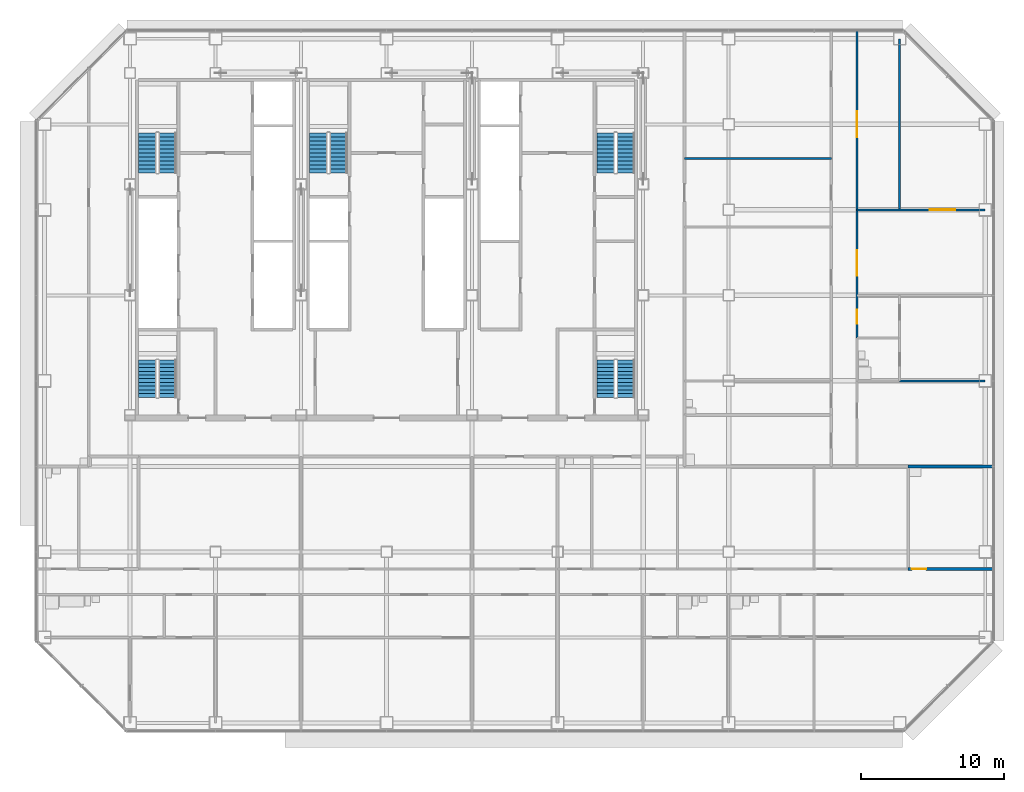
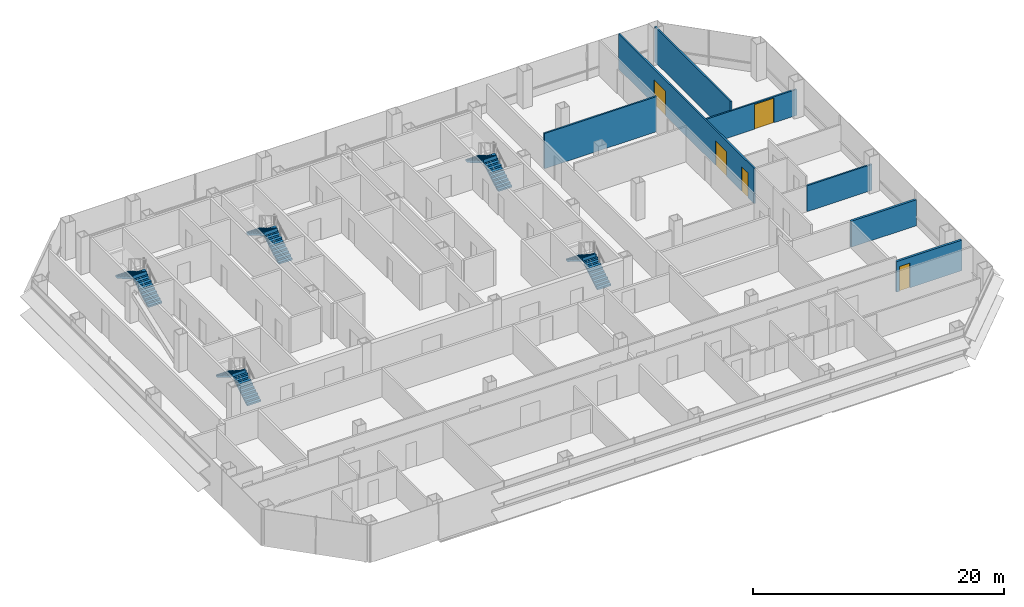
# One storey, part 24 of 27: 10 stair flights, 7 walls, 5 doors, 5 openings, 5 elements without a shape of their own.
"""IFC4 building model written with IfcOpenShell, lengths in metres."""

import ifcopenshell
import ifcopenshell.guid

model = None  # the IFC model being written
_history = None  # IfcOwnerHistory: only IFC2X3 demands one
_inside = {}  # id of a spatial element -> (the spatial element, [elements in it])
_under = {}  # id of a project, library or spatial element -> (it, [spatial elements below it])
_declared = {}  # id of a project -> (the project, [libraries it declares])
_typed = {}  # id of a type object -> (the type object, [elements of that type])
_made_of = {}  # id of a material, layer set ... -> (it, [elements and type objects made of it])


def new_model(schema):
    """Start an empty IFC model of exactly this schema.

    Asked for "IFC4X3", IfcOpenShell would pick the latest addendum, in which some entities
    have other attributes; the version numbers below select the first issue.
    IFC2X3 requires an IfcOwnerHistory on every rooted entity: one is made here for all.
    """
    global model, _history
    if schema == "IFC4X3":
        model = ifcopenshell.file(schema_version=(4, 3, 0, 0))
    else:
        model = ifcopenshell.file(schema=schema)
    _inside.clear()
    _under.clear()
    _declared.clear()
    _typed.clear()
    _made_of.clear()
    _history = None
    if model.schema == "IFC2X3":
        org = make("IfcOrganization", Name="unknown")
        user = make(
            "IfcPersonAndOrganization",
            ThePerson=make("IfcPerson", FamilyName="unknown"),
            TheOrganization=org,
        )
        app = make(
            "IfcApplication",
            ApplicationDeveloper=org,
            Version="unknown",
            ApplicationFullName="unknown",
            ApplicationIdentifier="unknown",
        )
        _history = make(
            "IfcOwnerHistory",
            OwningUser=user,
            OwningApplication=app,
            ChangeAction="ADDED",
            CreationDate=0,
        )
    return model


def make(cls, **values):
    """One entity of the class cls with the attributes given. An attribute that is None is left unset."""
    return model.create_entity(
        cls, **{name: value for name, value in values.items() if value is not None}
    )


def rooted(cls, **values):
    """An entity with a GlobalId (a new one), such as an element, a storey or a relation."""
    return make(cls, GlobalId=ifcopenshell.guid.new(), OwnerHistory=_history, **values)


def si_unit(unit_type, name, prefix=None):
    """IfcSIUnit, for example si_unit("LENGTHUNIT", "METRE", prefix="MILLI")."""
    return make("IfcSIUnit", UnitType=unit_type, Prefix=prefix, Name=name)


def assignment(units):
    """IfcUnitAssignment: the units of a project."""
    return None if units is None else make("IfcUnitAssignment", Units=units)


def point(xyz):
    """IfcCartesianPoint."""
    return None if xyz is None else make("IfcCartesianPoint", Coordinates=xyz)


def direction(xyz):
    """IfcDirection."""
    return None if xyz is None else make("IfcDirection", DirectionRatios=xyz)


def frame(location, z_axis=None, x_axis=None):
    """IfcAxis2Placement3D, a coordinate frame: its origin and axes. An axis left out is left unset."""
    return make(
        "IfcAxis2Placement3D",
        Location=point(location),
        Axis=direction(z_axis),
        RefDirection=direction(x_axis),
    )


def frame_2d(location, x_axis=None):
    """IfcAxis2Placement2D, a coordinate frame in the plane: its origin and x axis."""
    return make(
        "IfcAxis2Placement2D", Location=point(location), RefDirection=direction(x_axis)
    )


def origin():
    """The frame at (0, 0, 0) with its axes left unset."""
    return frame((0.0, 0.0, 0.0))


def place(relative_to, where):
    """IfcLocalPlacement: puts the frame where relative to a parent placement (None: the world)."""
    return make(
        "IfcLocalPlacement", PlacementRelTo=relative_to, RelativePlacement=where
    )


def context(
    kind, dimensions, precision=None, world=None, true_north=None, identifier=None
):
    """IfcGeometricRepresentationContext, for example the 3D "Model" context."""
    return make(
        "IfcGeometricRepresentationContext",
        ContextIdentifier=identifier,
        ContextType=kind,
        CoordinateSpaceDimension=dimensions,
        Precision=precision,
        WorldCoordinateSystem=world,
        TrueNorth=true_north,
    )


def subcontext(parent, identifier, kind, view, scale=None):
    """IfcGeometricRepresentationSubContext, for example "Body" below "Model"."""
    return make(
        "IfcGeometricRepresentationSubContext",
        ContextIdentifier=identifier,
        ContextType=kind,
        ParentContext=parent,
        TargetScale=scale,
        TargetView=view,
    )


def project(units=None, contexts=None):
    """IfcProject with its units and contexts."""
    return rooted(
        "IfcProject",
        Name="project",
        RepresentationContexts=contexts,
        UnitsInContext=assignment(units),
    )


def spatial(cls, under=None, at=None, **own):
    """A site, building, storey or space (cls), placed at a placement, below another one or the project."""
    s = rooted(cls, ObjectPlacement=at, **own)
    if under is not None:
        _under.setdefault(under.id(), (under, []))[1].append(s)
    return s


def polyline(points):
    """IfcPolyline through the points."""
    return make("IfcPolyline", Points=[point(p) for p in points])


def profile(cls, at=None, kind="AREA", **sizes):
    """A parametric profile (cls). Its sizes go by their IFC names, for example OverallWidth=200.0."""
    return make(cls, ProfileType=kind, Position=at, **sizes)


def rectangle(**sizes):
    """IfcRectangleProfileDef."""
    return profile("IfcRectangleProfileDef", **sizes)


def outline(outer, holes=None, kind="AREA"):
    """IfcArbitraryClosedProfileDef: a profile drawn as a closed curve; with holes, ...WithVoids."""
    if holes is None:
        return make("IfcArbitraryClosedProfileDef", ProfileType=kind, OuterCurve=outer)
    return make(
        "IfcArbitraryProfileDefWithVoids",
        ProfileType=kind,
        OuterCurve=outer,
        InnerCurves=holes,
    )


def extrude(swept, where, along, depth):
    """IfcExtrudedAreaSolid: the profile swept, set in the frame where, extruded along a direction by depth."""
    return make(
        "IfcExtrudedAreaSolid",
        SweptArea=swept,
        Position=where,
        ExtrudedDirection=direction(along),
        Depth=depth,
    )


def shape(context_of_items, identifier, shape_type, items):
    """IfcShapeRepresentation: the items that make up one representation, for example the "Body"."""
    return make(
        "IfcShapeRepresentation",
        ContextOfItems=context_of_items,
        RepresentationIdentifier=identifier,
        RepresentationType=shape_type,
        Items=items,
    )


def material(Name=None, Category=None):
    """IfcMaterial."""
    return make("IfcMaterial", Name=Name, Category=Category)


def layer(
    of_material, thickness, ventilated=None, Name=None, Category=None, Priority=None
):
    """IfcMaterialLayer: one layer of a wall or slab, of a material (None: an air gap)."""
    return make(
        "IfcMaterialLayer",
        Material=of_material,
        LayerThickness=thickness,
        IsVentilated=ventilated,
        Name=Name,
        Category=Category,
        Priority=Priority,
    )


def layer_set(layers, Name=None):
    """IfcMaterialLayerSet."""
    return make("IfcMaterialLayerSet", MaterialLayers=layers, LayerSetName=Name)


def made_of(thing, what):
    """Note that an element or type object is made of a material, layer set ...; save() writes the relation."""
    if what is not None:
        _made_of.setdefault(what.id(), (what, []))[1].append(thing)
    return thing


def type_object(cls, material=None, **own):
    """A type object (cls), such as IfcWallType, which elements share."""
    return made_of(rooted(cls, **own), material)


def element(
    cls,
    number,
    at=None,
    inside=None,
    cuts=None,
    type_object=None,
    material=None,
    context=None,
    identifier="Body",
    shape_type=None,
    held_by="IfcProductDefinitionShape",
    body=None,
    shapes=None,
    **own,
):
    """One element of the class cls, such as IfcWall. Its Tag is "e" and its number.

    at: its placement. inside: the storey or other place that contains it. cuts: it is an
    opening in that element (IfcRelVoidsElement). A single representation is given by context,
    identifier, shape_type and body (its items); several are given by shapes. held_by: the class
    of the entity that holds the representations. save() writes the other relations.
    """
    e = rooted(cls, Tag="e%d" % number, ObjectPlacement=at, **own)
    if body is not None:
        shapes = [shape(context, identifier, shape_type, body)]
    if shapes is not None:
        e.Representation = make(held_by, Representations=shapes)
    if inside is not None:
        _inside.setdefault(inside.id(), (inside, []))[1].append(e)
    if cuts is not None:
        rooted(
            "IfcRelVoidsElement", RelatingBuildingElement=cuts, RelatedOpeningElement=e
        )
    if type_object is not None:
        _typed.setdefault(type_object.id(), (type_object, []))[1].append(e)
    return made_of(e, material)


def fill(opening, filler):
    """IfcRelFillsElement: the door or window that sits in an opening."""
    return rooted(
        "IfcRelFillsElement",
        RelatingOpeningElement=opening,
        RelatedBuildingElement=filler,
    )


def aggregate(whole, parts):
    """IfcRelAggregates: a whole, such as a stair, and the parts it consists of."""
    return rooted("IfcRelAggregates", RelatingObject=whole, RelatedObjects=parts)


def save(model, path):
    """Write the relations noted so far, then the file.

    IfcRelAggregates (storeys below a building ...), IfcRelContainedInSpatialStructure (elements
    in a storey), IfcRelDefinesByType, IfcRelAssociatesMaterial and IfcRelDeclares: one each for
    every whole, place, type object, material and project.
    """
    for whole, parts in _under.values():
        aggregate(whole, parts)
    for where, things in _inside.values():
        rooted(
            "IfcRelContainedInSpatialStructure",
            RelatedElements=things,
            RelatingStructure=where,
        )
    for kind, things in _typed.values():
        rooted("IfcRelDefinesByType", RelatedObjects=things, RelatingType=kind)
    for what, things in _made_of.values():
        rooted("IfcRelAssociatesMaterial", RelatedObjects=things, RelatingMaterial=what)
    for by, libraries in _declared.values():
        rooted("IfcRelDeclares", RelatingContext=by, RelatedDefinitions=libraries)
    model.write(path)


model = new_model("IFC4")

# Units and contexts
model_context = context("Model", 3, precision=1e-05, world=origin(), true_north=direction((0.0, 1.0)))
body_context = subcontext(model_context, "Body", "Model", "MODEL_VIEW")
ifc_project = project(units=[si_unit("LENGTHUNIT", "METRE"), si_unit("AREAUNIT", "SQUARE_METRE"), si_unit("VOLUMEUNIT", "CUBIC_METRE"), si_unit("PLANEANGLEUNIT", "RADIAN"), si_unit("MASSUNIT", "GRAM", prefix="KILO")], contexts=[model_context])

# Site, building, storey
site_placement = place(None, origin())
site = spatial("IfcSite", under=ifc_project, at=site_placement, CompositionType="ELEMENT")
building_placement = place(site_placement, origin())
building = spatial("IfcBuilding", under=site, at=building_placement, Name="Sorahane Residences", CompositionType="ELEMENT")
storey_placement = place(building_placement, frame((0.0, 0.0, 57.0)))
storey = spatial("IfcBuildingStorey", under=building, at=storey_placement, Name="L10", CompositionType="ELEMENT", Elevation=57.0)

# Wall, opening, door
ifc_material_1 = material(Name="Concrete blockwork C20 wall", Category="masonry")
ifc_layer_1 = layer(ifc_material_1, 0.199951171875)
ifc_layer_set_1 = layer_set([ifc_layer_1], Name="Kitchen wall 200 EI 180")
wall_type_1 = type_object("IfcWallType", Name="Kitchen wall 200 EI 180", PredefinedType="SOLIDWALL", material=ifc_layer_set_1)
wall_1_placement = place(storey_placement, frame((60.60009765625, 10.800048828125, 0.0), z_axis=(0.0, 0.0, 1.0), x_axis=(1.0, 0.0, 0.0)))
wall_1 = element("IfcWall", 1, at=wall_1_placement, inside=storey, type_object=wall_type_1, Name="L10 kitchen wall", PredefinedType="SOLIDWALL", context=body_context, shape_type="SweptSolid", body=[
    extrude(rectangle(XDim=6.0, YDim=0.199951171875, at=frame_2d((3.0, 0.0))), origin(), (0.0, 0.0, 1.0), 2.969970703125),
])
opening_1_placement = place(wall_1_placement, frame((0.25, 0.0, 0.0)))
opening_1 = element("IfcOpeningElement", 2, at=opening_1_placement, cuts=wall_1, Name="Opening L10-18", PredefinedType="OPENING", context=body_context, shape_type="SweptSolid", body=[
    extrude(rectangle(XDim=1.0, YDim=2.39990234375, at=frame_2d((0.5, 1.199951171875))), frame((0.0, 0.10986328125, 0.0), z_axis=(0.0, -1.0, 0.0), x_axis=(1.0, 0.0, 0.0)), (0.0, 0.0, 1.0), 0.219970703125),
])
ifc_material_2 = material(Name="Steel", Category="steel")
door_type_1 = type_object("IfcDoorType", Name="Kitchen door 1000x2400 FD120", OperationType="NOTDEFINED", PredefinedType="DOOR", material=ifc_material_2)
door_1_placement = place(opening_1_placement, origin())
door_1 = element("IfcDoor", 3, at=door_1_placement, inside=storey, type_object=door_type_1, Name="Kitchen door L10-18", OperationType="SINGLE_SWING_RIGHT", OverallHeight=2.39990234375, OverallWidth=1.0, PredefinedType="DOOR", context=body_context, shape_type="SweptSolid", body=[
    extrude(rectangle(XDim=1.0, YDim=2.39990234375, at=frame_2d((0.5, 1.199951171875))), frame((0.0, 0.02490234375, 0.0), z_axis=(0.0, -1.0, 0.0), x_axis=(1.0, 0.0, 0.0)), (0.0, 0.0, 1.0), 0.050048828125),
])
fill(opening_1, door_1)

# Wall
wall_2_placement = place(storey_placement, frame((60.60009765625, 18.0, 0.0), z_axis=(0.0, 0.0, 1.0), x_axis=(1.0, 0.0, 0.0)))
element("IfcWall", 4, at=wall_2_placement, inside=storey, type_object=wall_type_1, Name="L10 kitchen wall", PredefinedType="SOLIDWALL", context=body_context, shape_type="SweptSolid", body=[
    extrude(rectangle(XDim=6.0, YDim=0.199951171875, at=frame_2d((3.0, 0.0))), origin(), (0.0, 0.0, 1.0), 2.52001953125),
])

# Wall, openings, doors
ifc_material_3 = material(Name="Gypsum board partition on steel studs", Category="steel")
ifc_layer_2 = layer(ifc_material_3, 0.14990234375)
ifc_layer_set_2 = layer_set([ifc_layer_2], Name="Partition 150 EI 90")
wall_type_2 = type_object("IfcWallType", Name="Partition 150 EI 90", PredefinedType="PARTITIONING", material=ifc_layer_set_2)
wall_3_placement = place(storey_placement, frame((57.0, 27.0, 0.0), z_axis=(0.0, 0.0, 1.0), x_axis=(0.0, 1.0, 0.0)))
wall_3 = element("IfcWall", 5, at=wall_3_placement, inside=storey, type_object=wall_type_2, Name="L10 partition", PredefinedType="PARTITIONING", context=body_context, shape_type="SweptSolid", body=[
    extrude(rectangle(XDim=21.60009765625, YDim=0.14990234375, at=frame_2d((10.800048828125, 0.0))), origin(), (0.0, 0.0, 1.0), 3.419921875),
])
opening_2_placement = place(wall_3_placement, frame((1.0, 0.0, 0.0)))
opening_2 = element("IfcOpeningElement", 6, at=opening_2_placement, cuts=wall_3, Name="Opening L10-34", PredefinedType="OPENING", context=body_context, shape_type="SweptSolid", body=[
    extrude(rectangle(XDim=1.0, YDim=2.39990234375, at=frame_2d((0.5, 1.199951171875))), frame((0.0, 0.0849609375, 0.0), z_axis=(0.0, -1.0, 0.0), x_axis=(1.0, 0.0, 0.0)), (0.0, 0.0, 1.0), 0.169921875),
])
opening_3_placement = place(wall_3_placement, frame((4.360107421875, 0.0, 0.0)))
opening_3 = element("IfcOpeningElement", 7, at=opening_3_placement, cuts=wall_3, Name="Opening L10-35", PredefinedType="OPENING", context=body_context, shape_type="SweptSolid", body=[
    extrude(rectangle(XDim=1.800048828125, YDim=2.39990234375, at=frame_2d((0.89990234375, 1.199951171875))), frame((0.0, 0.0849609375, 0.0), z_axis=(0.0, -1.0, 0.0), x_axis=(1.0, 0.0, 0.0)), (0.0, 0.0, 1.0), 0.169921875),
])
opening_4_placement = place(wall_3_placement, frame((14.10009765625, 0.0, 0.0)))
opening_4 = element("IfcOpeningElement", 8, at=opening_4_placement, cuts=wall_3, Name="Opening L10-37", PredefinedType="OPENING", context=body_context, shape_type="SweptSolid", body=[
    extrude(rectangle(XDim=1.800048828125, YDim=2.39990234375, at=frame_2d((0.89990234375, 1.199951171875))), frame((0.0, 0.0849609375, 0.0), z_axis=(0.0, -1.0, 0.0), x_axis=(1.0, 0.0, 0.0)), (0.0, 0.0, 1.0), 0.169921875),
])
ifc_material_4 = material(Name="Timber veneered fire door", Category="wood")
door_type_2 = type_object("IfcDoorType", Name="Double door 1800x2400 FD30", OperationType="NOTDEFINED", PredefinedType="DOOR", material=ifc_material_4)
door_2_placement = place(opening_3_placement, frame((1.800048828125, 0.0, 0.0), z_axis=(0.0, 0.0, 1.0), x_axis=(-1.0, 0.0, 0.0)))
door_2 = element("IfcDoor", 9, at=door_2_placement, inside=storey, type_object=door_type_2, Name="Double door L10-35", OperationType="SINGLE_SWING_LEFT", OverallHeight=2.39990234375, OverallWidth=1.800048828125, PredefinedType="DOOR", context=body_context, shape_type="SweptSolid", body=[
    extrude(rectangle(XDim=1.800048828125, YDim=2.39990234375, at=frame_2d((0.89990234375, 1.199951171875))), frame((0.0, 0.02490234375, 0.0), z_axis=(0.0, -1.0, 0.0), x_axis=(1.0, 0.0, 0.0)), (0.0, 0.0, 1.0), 0.050048828125),
])
fill(opening_3, door_2)
door_3_placement = place(opening_4_placement, frame((1.800048828125, 0.0, 0.0), z_axis=(0.0, 0.0, 1.0), x_axis=(-1.0, 0.0, 0.0)))
door_3 = element("IfcDoor", 10, at=door_3_placement, inside=storey, type_object=door_type_2, Name="Double door L10-37", OperationType="SINGLE_SWING_RIGHT", OverallHeight=2.39990234375, OverallWidth=1.800048828125, PredefinedType="DOOR", context=body_context, shape_type="SweptSolid", body=[
    extrude(rectangle(XDim=1.800048828125, YDim=2.39990234375, at=frame_2d((0.89990234375, 1.199951171875))), frame((0.0, 0.02490234375, 0.0), z_axis=(0.0, -1.0, 0.0), x_axis=(1.0, 0.0, 0.0)), (0.0, 0.0, 1.0), 0.050048828125),
])
fill(opening_4, door_3)
ifc_material_5 = material(Name="Timber veneered fire door", Category="wood")
door_type_3 = type_object("IfcDoorType", Name="Room door 1000x2400 FD30", OperationType="NOTDEFINED", PredefinedType="DOOR", material=ifc_material_5)
door_4_placement = place(opening_2_placement, frame((1.0, 0.0, 0.0), z_axis=(0.0, 0.0, 1.0), x_axis=(-1.0, 0.0, 0.0)))
door_4 = element("IfcDoor", 11, at=door_4_placement, inside=storey, type_object=door_type_3, Name="Room door L10-34", OperationType="SINGLE_SWING_LEFT", OverallHeight=2.39990234375, OverallWidth=1.0, PredefinedType="DOOR", context=body_context, shape_type="SweptSolid", body=[
    extrude(rectangle(XDim=1.0, YDim=2.39990234375, at=frame_2d((0.5, 1.199951171875))), frame((0.0, 0.02490234375, 0.0), z_axis=(0.0, -1.0, 0.0), x_axis=(1.0, 0.0, 0.0)), (0.0, 0.0, 1.0), 0.050048828125),
])
fill(opening_2, door_4)

# Walls
wall_4_placement = place(storey_placement, frame((60.0, 36.0, 0.0), z_axis=(0.0, 0.0, 1.0), x_axis=(0.0, 1.0, 0.0)))
element("IfcWall", 12, at=wall_4_placement, inside=storey, type_object=wall_type_2, Name="L10 partition", PredefinedType="PARTITIONING", context=body_context, shape_type="SweptSolid", body=[
    extrude(rectangle(XDim=12.0, YDim=0.14990234375, at=frame_2d((6.0, 0.0))), origin(), (0.0, 0.0, 1.0), 3.419921875),
])
wall_5_placement = place(storey_placement, frame((60.0, 24.0, 0.0), z_axis=(0.0, 0.0, 1.0), x_axis=(1.0, 0.0, 0.0)))
element("IfcWall", 13, at=wall_5_placement, inside=storey, type_object=wall_type_2, Name="L10 partition", PredefinedType="PARTITIONING", context=body_context, shape_type="SweptSolid", body=[
    extrude(rectangle(XDim=6.0, YDim=0.14990234375, at=frame_2d((3.0, 0.0))), origin(), (0.0, 0.0, 1.0), 2.52001953125),
])

# Wall, opening, door
wall_6_placement = place(storey_placement, frame((57.0, 36.0, 0.0), z_axis=(0.0, 0.0, 1.0), x_axis=(1.0, 0.0, 0.0)))
wall_6 = element("IfcWall", 14, at=wall_6_placement, inside=storey, type_object=wall_type_2, Name="L10 partition", PredefinedType="PARTITIONING", context=body_context, shape_type="SweptSolid", body=[
    extrude(rectangle(XDim=9.0, YDim=0.14990234375, at=frame_2d((4.5, 0.0))), origin(), (0.0, 0.0, 1.0), 2.52001953125),
])
opening_5_placement = place(wall_6_placement, frame((5.10009765625, 0.0, 0.0)))
opening_5 = element("IfcOpeningElement", 15, at=opening_5_placement, cuts=wall_6, Name="Opening L10-36", PredefinedType="OPENING", context=body_context, shape_type="SweptSolid", body=[
    extrude(rectangle(XDim=1.800048828125, YDim=2.39990234375, at=frame_2d((0.89990234375, 1.199951171875))), frame((0.0, 0.0849609375, 0.0), z_axis=(0.0, -1.0, 0.0), x_axis=(1.0, 0.0, 0.0)), (0.0, 0.0, 1.0), 0.169921875),
])
door_5_placement = place(opening_5_placement, origin())
door_5 = element("IfcDoor", 16, at=door_5_placement, inside=storey, type_object=door_type_2, Name="Double door L10-36", OperationType="SINGLE_SWING_LEFT", OverallHeight=2.39990234375, OverallWidth=1.800048828125, PredefinedType="DOOR", context=body_context, shape_type="SweptSolid", body=[
    extrude(rectangle(XDim=1.800048828125, YDim=2.39990234375, at=frame_2d((0.89990234375, 1.199951171875))), frame((0.0, 0.02490234375, 0.0), z_axis=(0.0, -1.0, 0.0), x_axis=(1.0, 0.0, 0.0)), (0.0, 0.0, 1.0), 0.050048828125),
])
fill(opening_5, door_5)

# Wall
wall_7_placement = place(storey_placement, frame((44.89990234375, 39.60009765625, 0.0), z_axis=(0.0, 0.0, 1.0), x_axis=(1.0, 0.0, 0.0)))
element("IfcWall", 17, at=wall_7_placement, inside=storey, type_object=wall_type_2, Name="L10 partition", PredefinedType="PARTITIONING", context=body_context, shape_type="SweptSolid", body=[
    extrude(rectangle(XDim=10.300048828125, YDim=0.14990234375, at=frame_2d((5.14990234375, 0.0))), origin(), (0.0, 0.0, 1.0), 3.419921875),
])

# Stair, stair flights
ifc_material_6 = material(Name="Concrete C40", Category="concrete")
stair_type = type_object("IfcStairType", Name="Dog-leg stair 1250 Concrete C40", PredefinedType="HALF_TURN_STAIR", material=ifc_material_6)
stair_1_placement = place(storey_placement, origin())
stair_1 = element("IfcStair", 18, at=stair_1_placement, inside=storey, type_object=stair_type, Name="L10 Stair S1", PredefinedType="HALF_TURN_STAIR")
ifc_material_7 = material(Name="Concrete C40", Category="concrete")
stair_flight_type = type_object("IfcStairFlightType", Name="Stair flight 1250 Concrete C40", PredefinedType="STRAIGHT", material=ifc_material_7)
stair_flight_1_placement = place(storey_placement, frame((8.625, 38.60009765625, 0.0), z_axis=(0.0, 0.0, 1.0), x_axis=(0.0, 1.0, 0.0)))
stair_flight_1 = element("IfcStairFlight", 19, at=stair_flight_1_placement, type_object=stair_flight_type, Name="S1 flight 1", NumberOfRisers=11, NumberOfTreads=10, PredefinedType="STRAIGHT", RiserHeight=0.163636364, TreadLength=0.28, context=body_context, shape_type="SweptSolid", body=[
    extrude(outline(polyline([(-0.00146484375, 0.0), (-0.00146484375, 0.16357421875), (0.0, 0.16357421875), (0.280029296875, 0.16357421875), (0.280029296875, 0.327392578125), (0.56005859375, 0.327392578125), (0.56005859375, 0.490966796875), (0.840087890625, 0.490966796875), (0.840087890625, 0.654541015625), (1.1201171875, 0.654541015625), (1.1201171875, 0.818115234375), (1.39990234375, 0.818115234375), (1.39990234375, 0.98193359375), (1.679931640625, 0.98193359375), (1.679931640625, 1.1455078125), (1.9599609375, 1.1455078125), (1.9599609375, 1.30908203125), (2.239990234375, 1.30908203125), (2.239990234375, 1.47265625), (2.52001953125, 1.47265625), (2.52001953125, 1.636474609375), (2.800048828125, 1.636474609375), (2.800048828125, 1.800048828125), (2.800048828125, 1.462646484375), (2.59130859375, 1.3408203125), (2.3828125, 1.218994140625), (2.17431640625, 1.09716796875), (1.965576171875, 0.97509765625), (1.757080078125, 0.853271484375), (1.548583984375, 0.7314453125), (1.340087890625, 0.609375), (1.13134765625, 0.487548828125), (0.9228515625, 0.36572265625), (0.71435546875, 0.243896484375), (0.505615234375, 0.121826171875), (0.297119140625, 0.0), (-0.00146484375, 0.0)])), frame((0.0, 0.625, 0.0), z_axis=(0.0, -1.0, 0.0), x_axis=(1.0, 0.0, 0.0)), (0.0, 0.0, 1.0), 1.25),
])
stair_flight_2_placement = place(storey_placement, frame((7.22509765625, 41.39990234375, 1.800048828125), z_axis=(0.0, 0.0, 1.0), x_axis=(0.0, -1.0, 0.0)))
stair_flight_2 = element("IfcStairFlight", 20, at=stair_flight_2_placement, type_object=stair_flight_type, Name="S1 flight 2", NumberOfRisers=11, NumberOfTreads=10, PredefinedType="STRAIGHT", RiserHeight=0.163636364, TreadLength=0.28, context=body_context, shape_type="SweptSolid", body=[
    extrude(outline(polyline([(0.0, 0.0), (0.0, 0.16357421875), (0.280029296875, 0.16357421875), (0.280029296875, 0.327392578125), (0.56005859375, 0.327392578125), (0.56005859375, 0.490966796875), (0.840087890625, 0.490966796875), (0.840087890625, 0.654541015625), (1.1201171875, 0.654541015625), (1.1201171875, 0.818115234375), (1.39990234375, 0.818115234375), (1.39990234375, 0.98193359375), (1.679931640625, 0.98193359375), (1.679931640625, 1.1455078125), (1.9599609375, 1.1455078125), (1.9599609375, 1.30908203125), (2.239990234375, 1.30908203125), (2.239990234375, 1.47265625), (2.52001953125, 1.47265625), (2.52001953125, 1.636474609375), (2.800048828125, 1.636474609375), (2.800048828125, 1.800048828125), (2.801513671875, 1.800048828125), (2.801513671875, 1.462646484375), (2.5927734375, 1.3408203125), (2.384033203125, 1.218994140625), (2.17529296875, 1.09716796875), (1.966796875, 0.97509765625), (1.758056640625, 0.853271484375), (1.54931640625, 0.7314453125), (1.340576171875, 0.609375), (1.1318359375, 0.487548828125), (0.923095703125, 0.36572265625), (0.714599609375, 0.243896484375), (0.505859375, 0.121826171875), (0.297119140625, 0.0), (0.0, 0.0)])), frame((0.0, 0.625, 0.0), z_axis=(0.0, -1.0, 0.0), x_axis=(1.0, 0.0, 0.0)), (0.0, 0.0, 1.0), 1.25),
])
aggregate(stair_1, [stair_flight_1, stair_flight_2])

stair_2_placement = place(storey_placement, origin())
stair_2 = element("IfcStair", 21, at=stair_2_placement, inside=storey, type_object=stair_type, Name="L10 Stair S2", PredefinedType="HALF_TURN_STAIR")
stair_flight_3_placement = place(storey_placement, frame((40.77490234375, 38.60009765625, 0.0), z_axis=(0.0, 0.0, 1.0), x_axis=(0.0, 1.0, 0.0)))
stair_flight_3 = element("IfcStairFlight", 22, at=stair_flight_3_placement, type_object=stair_flight_type, Name="S2 flight 1", NumberOfRisers=11, NumberOfTreads=10, PredefinedType="STRAIGHT", RiserHeight=0.163636364, TreadLength=0.28, context=body_context, shape_type="SweptSolid", body=[
    extrude(outline(polyline([(-0.00146484375, 0.0), (-0.00146484375, 0.16357421875), (0.0, 0.16357421875), (0.280029296875, 0.16357421875), (0.280029296875, 0.327392578125), (0.56005859375, 0.327392578125), (0.56005859375, 0.490966796875), (0.840087890625, 0.490966796875), (0.840087890625, 0.654541015625), (1.1201171875, 0.654541015625), (1.1201171875, 0.818115234375), (1.39990234375, 0.818115234375), (1.39990234375, 0.98193359375), (1.679931640625, 0.98193359375), (1.679931640625, 1.1455078125), (1.9599609375, 1.1455078125), (1.9599609375, 1.30908203125), (2.239990234375, 1.30908203125), (2.239990234375, 1.47265625), (2.52001953125, 1.47265625), (2.52001953125, 1.636474609375), (2.800048828125, 1.636474609375), (2.800048828125, 1.800048828125), (2.800048828125, 1.462646484375), (2.59130859375, 1.3408203125), (2.3828125, 1.218994140625), (2.17431640625, 1.09716796875), (1.965576171875, 0.97509765625), (1.757080078125, 0.853271484375), (1.548583984375, 0.7314453125), (1.340087890625, 0.609375), (1.13134765625, 0.487548828125), (0.9228515625, 0.36572265625), (0.71435546875, 0.243896484375), (0.505615234375, 0.121826171875), (0.297119140625, 0.0), (-0.00146484375, 0.0)])), frame((0.0, 0.625, 0.0), z_axis=(0.0, -1.0, 0.0), x_axis=(1.0, 0.0, 0.0)), (0.0, 0.0, 1.0), 1.25),
])
stair_flight_4_placement = place(storey_placement, frame((39.375, 41.39990234375, 1.800048828125), z_axis=(0.0, 0.0, 1.0), x_axis=(0.0, -1.0, 0.0)))
stair_flight_4 = element("IfcStairFlight", 23, at=stair_flight_4_placement, type_object=stair_flight_type, Name="S2 flight 2", NumberOfRisers=11, NumberOfTreads=10, PredefinedType="STRAIGHT", RiserHeight=0.163636364, TreadLength=0.28, context=body_context, shape_type="SweptSolid", body=[
    extrude(outline(polyline([(0.0, 0.0), (0.0, 0.16357421875), (0.280029296875, 0.16357421875), (0.280029296875, 0.327392578125), (0.56005859375, 0.327392578125), (0.56005859375, 0.490966796875), (0.840087890625, 0.490966796875), (0.840087890625, 0.654541015625), (1.1201171875, 0.654541015625), (1.1201171875, 0.818115234375), (1.39990234375, 0.818115234375), (1.39990234375, 0.98193359375), (1.679931640625, 0.98193359375), (1.679931640625, 1.1455078125), (1.9599609375, 1.1455078125), (1.9599609375, 1.30908203125), (2.239990234375, 1.30908203125), (2.239990234375, 1.47265625), (2.52001953125, 1.47265625), (2.52001953125, 1.636474609375), (2.800048828125, 1.636474609375), (2.800048828125, 1.800048828125), (2.801513671875, 1.800048828125), (2.801513671875, 1.462646484375), (2.5927734375, 1.3408203125), (2.384033203125, 1.218994140625), (2.17529296875, 1.09716796875), (1.966796875, 0.97509765625), (1.758056640625, 0.853271484375), (1.54931640625, 0.7314453125), (1.340576171875, 0.609375), (1.1318359375, 0.487548828125), (0.923095703125, 0.36572265625), (0.714599609375, 0.243896484375), (0.505859375, 0.121826171875), (0.297119140625, 0.0), (0.0, 0.0)])), frame((0.0, 0.625, 0.0), z_axis=(0.0, -1.0, 0.0), x_axis=(1.0, 0.0, 0.0)), (0.0, 0.0, 1.0), 1.25),
])
aggregate(stair_2, [stair_flight_3, stair_flight_4])

stair_3_placement = place(storey_placement, origin())
stair_3 = element("IfcStair", 24, at=stair_3_placement, inside=storey, type_object=stair_type, Name="L10 Stair S3", PredefinedType="HALF_TURN_STAIR")
stair_flight_5_placement = place(storey_placement, frame((20.625, 38.60009765625, 0.0), z_axis=(0.0, 0.0, 1.0), x_axis=(0.0, 1.0, 0.0)))
stair_flight_5 = element("IfcStairFlight", 25, at=stair_flight_5_placement, type_object=stair_flight_type, Name="S3 flight 1", NumberOfRisers=11, NumberOfTreads=10, PredefinedType="STRAIGHT", RiserHeight=0.163636364, TreadLength=0.28, context=body_context, shape_type="SweptSolid", body=[
    extrude(outline(polyline([(-0.00146484375, 0.0), (-0.00146484375, 0.16357421875), (0.0, 0.16357421875), (0.280029296875, 0.16357421875), (0.280029296875, 0.327392578125), (0.56005859375, 0.327392578125), (0.56005859375, 0.490966796875), (0.840087890625, 0.490966796875), (0.840087890625, 0.654541015625), (1.1201171875, 0.654541015625), (1.1201171875, 0.818115234375), (1.39990234375, 0.818115234375), (1.39990234375, 0.98193359375), (1.679931640625, 0.98193359375), (1.679931640625, 1.1455078125), (1.9599609375, 1.1455078125), (1.9599609375, 1.30908203125), (2.239990234375, 1.30908203125), (2.239990234375, 1.47265625), (2.52001953125, 1.47265625), (2.52001953125, 1.636474609375), (2.800048828125, 1.636474609375), (2.800048828125, 1.800048828125), (2.800048828125, 1.462646484375), (2.59130859375, 1.3408203125), (2.3828125, 1.218994140625), (2.17431640625, 1.09716796875), (1.965576171875, 0.97509765625), (1.757080078125, 0.853271484375), (1.548583984375, 0.7314453125), (1.340087890625, 0.609375), (1.13134765625, 0.487548828125), (0.9228515625, 0.36572265625), (0.71435546875, 0.243896484375), (0.505615234375, 0.121826171875), (0.297119140625, 0.0), (-0.00146484375, 0.0)])), frame((0.0, 0.625, 0.0), z_axis=(0.0, -1.0, 0.0), x_axis=(1.0, 0.0, 0.0)), (0.0, 0.0, 1.0), 1.25),
])
stair_flight_6_placement = place(storey_placement, frame((19.22509765625, 41.39990234375, 1.800048828125), z_axis=(0.0, 0.0, 1.0), x_axis=(0.0, -1.0, 0.0)))
stair_flight_6 = element("IfcStairFlight", 26, at=stair_flight_6_placement, type_object=stair_flight_type, Name="S3 flight 2", NumberOfRisers=11, NumberOfTreads=10, PredefinedType="STRAIGHT", RiserHeight=0.163636364, TreadLength=0.28, context=body_context, shape_type="SweptSolid", body=[
    extrude(outline(polyline([(0.0, 0.0), (0.0, 0.16357421875), (0.280029296875, 0.16357421875), (0.280029296875, 0.327392578125), (0.56005859375, 0.327392578125), (0.56005859375, 0.490966796875), (0.840087890625, 0.490966796875), (0.840087890625, 0.654541015625), (1.1201171875, 0.654541015625), (1.1201171875, 0.818115234375), (1.39990234375, 0.818115234375), (1.39990234375, 0.98193359375), (1.679931640625, 0.98193359375), (1.679931640625, 1.1455078125), (1.9599609375, 1.1455078125), (1.9599609375, 1.30908203125), (2.239990234375, 1.30908203125), (2.239990234375, 1.47265625), (2.52001953125, 1.47265625), (2.52001953125, 1.636474609375), (2.800048828125, 1.636474609375), (2.800048828125, 1.800048828125), (2.801513671875, 1.800048828125), (2.801513671875, 1.462646484375), (2.5927734375, 1.3408203125), (2.384033203125, 1.218994140625), (2.17529296875, 1.09716796875), (1.966796875, 0.97509765625), (1.758056640625, 0.853271484375), (1.54931640625, 0.7314453125), (1.340576171875, 0.609375), (1.1318359375, 0.487548828125), (0.923095703125, 0.36572265625), (0.714599609375, 0.243896484375), (0.505859375, 0.121826171875), (0.297119140625, 0.0), (0.0, 0.0)])), frame((0.0, 0.625, 0.0), z_axis=(0.0, -1.0, 0.0), x_axis=(1.0, 0.0, 0.0)), (0.0, 0.0, 1.0), 1.25),
])
aggregate(stair_3, [stair_flight_5, stair_flight_6])

stair_4_placement = place(storey_placement, origin())
stair_4 = element("IfcStair", 27, at=stair_4_placement, inside=storey, type_object=stair_type, Name="L10 Stair S4", PredefinedType="HALF_TURN_STAIR")
stair_flight_7_placement = place(storey_placement, frame((8.625, 22.85009765625, 0.0), z_axis=(0.0, 0.0, 1.0), x_axis=(0.0, 1.0, 0.0)))
stair_flight_7 = element("IfcStairFlight", 28, at=stair_flight_7_placement, type_object=stair_flight_type, Name="S4 flight 1", NumberOfRisers=11, NumberOfTreads=10, PredefinedType="STRAIGHT", RiserHeight=0.163636364, TreadLength=0.26, context=body_context, shape_type="SweptSolid", body=[
    extrude(outline(polyline([(-0.00146484375, 0.0), (-0.00146484375, 0.16357421875), (0.0, 0.16357421875), (0.260009765625, 0.16357421875), (0.260009765625, 0.327392578125), (0.52001953125, 0.327392578125), (0.52001953125, 0.490966796875), (0.780029296875, 0.490966796875), (0.780029296875, 0.654541015625), (1.0400390625, 0.654541015625), (1.0400390625, 0.818115234375), (1.300048828125, 0.818115234375), (1.300048828125, 0.98193359375), (1.56005859375, 0.98193359375), (1.56005859375, 1.1455078125), (1.820068359375, 1.1455078125), (1.820068359375, 1.30908203125), (2.080078125, 1.30908203125), (2.080078125, 1.47265625), (2.340087890625, 1.47265625), (2.340087890625, 1.636474609375), (2.60009765625, 1.636474609375), (2.60009765625, 1.800048828125), (2.60009765625, 1.494384765625), (2.402099609375, 1.369873046875), (2.204345703125, 1.245361328125), (2.00634765625, 1.120849609375), (1.80859375, 0.996337890625), (1.610595703125, 0.871826171875), (1.412841796875, 0.747314453125), (1.21484375, 0.622802734375), (1.01708984375, 0.498046875), (0.819091796875, 0.37353515625), (0.621337890625, 0.2490234375), (0.42333984375, 0.12451171875), (0.2255859375, 0.0), (-0.00146484375, 0.0)])), frame((0.0, 0.625, 0.0), z_axis=(0.0, -1.0, 0.0), x_axis=(1.0, 0.0, 0.0)), (0.0, 0.0, 1.0), 1.25),
])
stair_flight_8_placement = place(storey_placement, frame((7.22509765625, 25.449951171875, 1.800048828125), z_axis=(0.0, 0.0, 1.0), x_axis=(0.0, -1.0, 0.0)))
stair_flight_8 = element("IfcStairFlight", 29, at=stair_flight_8_placement, type_object=stair_flight_type, Name="S4 flight 2", NumberOfRisers=11, NumberOfTreads=10, PredefinedType="STRAIGHT", RiserHeight=0.163636364, TreadLength=0.26, context=body_context, shape_type="SweptSolid", body=[
    extrude(outline(polyline([(0.0, 0.0), (0.0, 0.16357421875), (0.260009765625, 0.16357421875), (0.260009765625, 0.327392578125), (0.52001953125, 0.327392578125), (0.52001953125, 0.490966796875), (0.780029296875, 0.490966796875), (0.780029296875, 0.654541015625), (1.0400390625, 0.654541015625), (1.0400390625, 0.818115234375), (1.300048828125, 0.818115234375), (1.300048828125, 0.98193359375), (1.56005859375, 0.98193359375), (1.56005859375, 1.1455078125), (1.820068359375, 1.1455078125), (1.820068359375, 1.30908203125), (2.080078125, 1.30908203125), (2.080078125, 1.47265625), (2.340087890625, 1.47265625), (2.340087890625, 1.636474609375), (2.60009765625, 1.636474609375), (2.60009765625, 1.800048828125), (2.6015625, 1.800048828125), (2.6015625, 1.494384765625), (2.403564453125, 1.369873046875), (2.20556640625, 1.245361328125), (2.007568359375, 1.120849609375), (1.8095703125, 0.996337890625), (1.611572265625, 0.871826171875), (1.41357421875, 0.747314453125), (1.215576171875, 0.622802734375), (1.017578125, 0.498046875), (0.819580078125, 0.37353515625), (0.62158203125, 0.2490234375), (0.423583984375, 0.12451171875), (0.2255859375, 0.0), (0.0, 0.0)])), frame((0.0, 0.625, 0.0), z_axis=(0.0, -1.0, 0.0), x_axis=(1.0, 0.0, 0.0)), (0.0, 0.0, 1.0), 1.25),
])
aggregate(stair_4, [stair_flight_7, stair_flight_8])

stair_5_placement = place(storey_placement, origin())
stair_5 = element("IfcStair", 30, at=stair_5_placement, inside=storey, type_object=stair_type, Name="L10 Stair S5", PredefinedType="HALF_TURN_STAIR")
stair_flight_9_placement = place(storey_placement, frame((40.77490234375, 22.85009765625, 0.0), z_axis=(0.0, 0.0, 1.0), x_axis=(0.0, 1.0, 0.0)))
stair_flight_9 = element("IfcStairFlight", 31, at=stair_flight_9_placement, type_object=stair_flight_type, Name="S5 flight 1", NumberOfRisers=11, NumberOfTreads=10, PredefinedType="STRAIGHT", RiserHeight=0.163636364, TreadLength=0.26, context=body_context, shape_type="SweptSolid", body=[
    extrude(outline(polyline([(-0.00146484375, 0.0), (-0.00146484375, 0.16357421875), (0.0, 0.16357421875), (0.260009765625, 0.16357421875), (0.260009765625, 0.327392578125), (0.52001953125, 0.327392578125), (0.52001953125, 0.490966796875), (0.780029296875, 0.490966796875), (0.780029296875, 0.654541015625), (1.0400390625, 0.654541015625), (1.0400390625, 0.818115234375), (1.300048828125, 0.818115234375), (1.300048828125, 0.98193359375), (1.56005859375, 0.98193359375), (1.56005859375, 1.1455078125), (1.820068359375, 1.1455078125), (1.820068359375, 1.30908203125), (2.080078125, 1.30908203125), (2.080078125, 1.47265625), (2.340087890625, 1.47265625), (2.340087890625, 1.636474609375), (2.60009765625, 1.636474609375), (2.60009765625, 1.800048828125), (2.60009765625, 1.494384765625), (2.402099609375, 1.369873046875), (2.204345703125, 1.245361328125), (2.00634765625, 1.120849609375), (1.80859375, 0.996337890625), (1.610595703125, 0.871826171875), (1.412841796875, 0.747314453125), (1.21484375, 0.622802734375), (1.01708984375, 0.498046875), (0.819091796875, 0.37353515625), (0.621337890625, 0.2490234375), (0.42333984375, 0.12451171875), (0.2255859375, 0.0), (-0.00146484375, 0.0)])), frame((0.0, 0.625, 0.0), z_axis=(0.0, -1.0, 0.0), x_axis=(1.0, 0.0, 0.0)), (0.0, 0.0, 1.0), 1.25),
])
stair_flight_10_placement = place(storey_placement, frame((39.375, 25.449951171875, 1.800048828125), z_axis=(0.0, 0.0, 1.0), x_axis=(0.0, -1.0, 0.0)))
stair_flight_10 = element("IfcStairFlight", 32, at=stair_flight_10_placement, type_object=stair_flight_type, Name="S5 flight 2", NumberOfRisers=11, NumberOfTreads=10, PredefinedType="STRAIGHT", RiserHeight=0.163636364, TreadLength=0.26, context=body_context, shape_type="SweptSolid", body=[
    extrude(outline(polyline([(0.0, 0.0), (0.0, 0.16357421875), (0.260009765625, 0.16357421875), (0.260009765625, 0.327392578125), (0.52001953125, 0.327392578125), (0.52001953125, 0.490966796875), (0.780029296875, 0.490966796875), (0.780029296875, 0.654541015625), (1.0400390625, 0.654541015625), (1.0400390625, 0.818115234375), (1.300048828125, 0.818115234375), (1.300048828125, 0.98193359375), (1.56005859375, 0.98193359375), (1.56005859375, 1.1455078125), (1.820068359375, 1.1455078125), (1.820068359375, 1.30908203125), (2.080078125, 1.30908203125), (2.080078125, 1.47265625), (2.340087890625, 1.47265625), (2.340087890625, 1.636474609375), (2.60009765625, 1.636474609375), (2.60009765625, 1.800048828125), (2.6015625, 1.800048828125), (2.6015625, 1.494384765625), (2.403564453125, 1.369873046875), (2.20556640625, 1.245361328125), (2.007568359375, 1.120849609375), (1.8095703125, 0.996337890625), (1.611572265625, 0.871826171875), (1.41357421875, 0.747314453125), (1.215576171875, 0.622802734375), (1.017578125, 0.498046875), (0.819580078125, 0.37353515625), (0.62158203125, 0.2490234375), (0.423583984375, 0.12451171875), (0.2255859375, 0.0), (0.0, 0.0)])), frame((0.0, 0.625, 0.0), z_axis=(0.0, -1.0, 0.0), x_axis=(1.0, 0.0, 0.0)), (0.0, 0.0, 1.0), 1.25),
])
aggregate(stair_5, [stair_flight_9, stair_flight_10])

save(model, "model.ifc")
